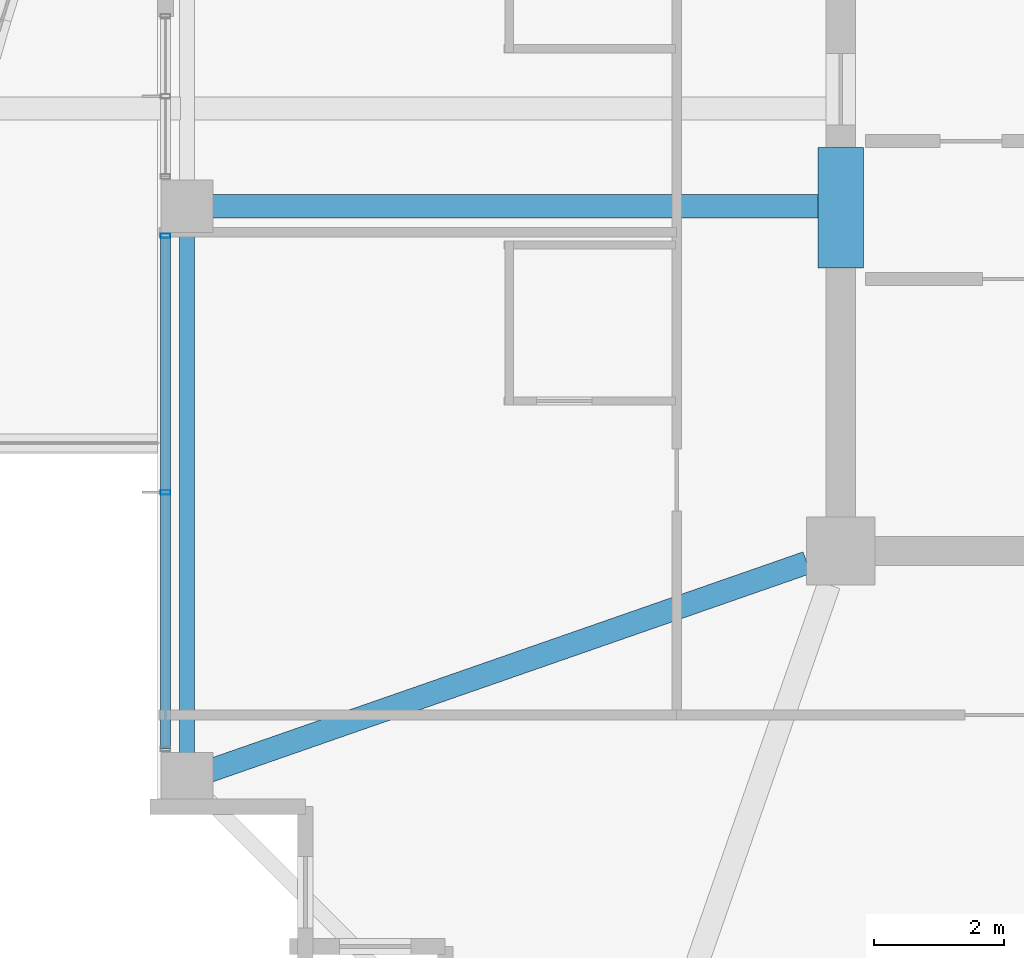
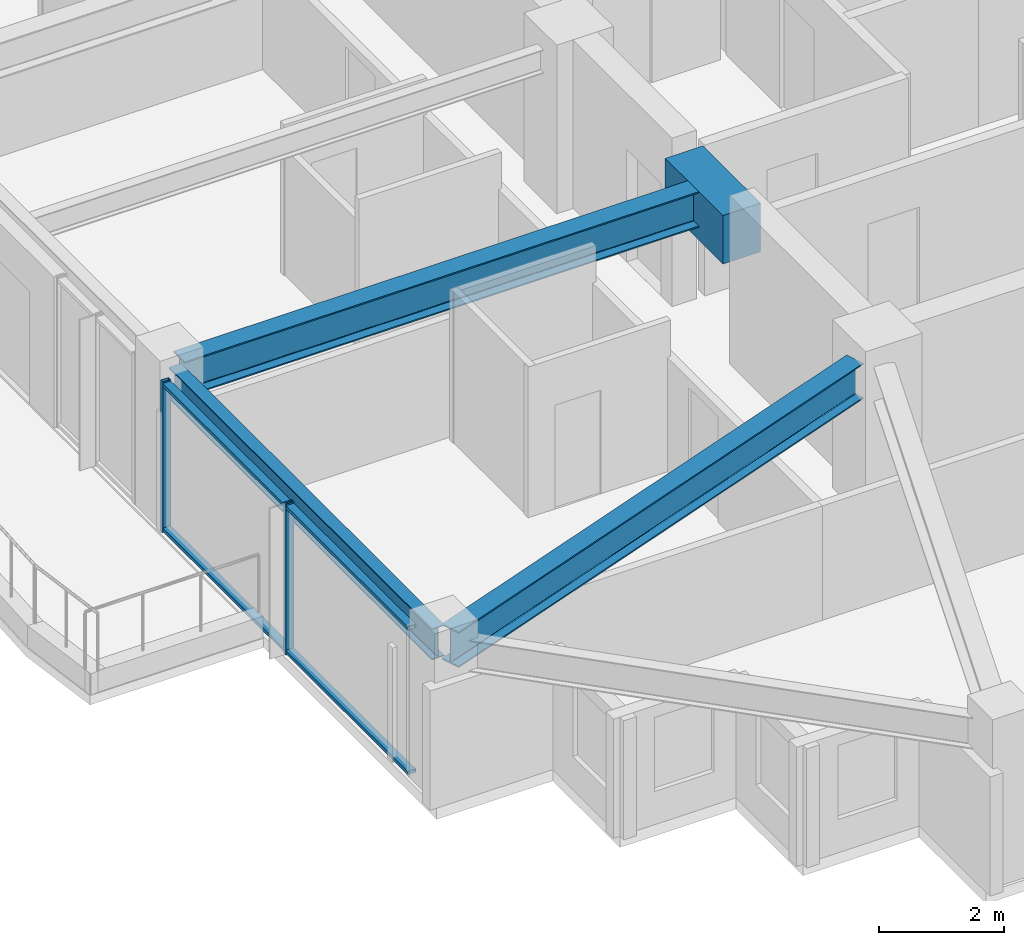
# One storey, part 4 of 34: 4 beams, 4 members, 1 element without a shape of its own.
"""IFC4 building model written with IfcOpenShell, lengths in metres."""

from ifc_helpers import new_model, si_unit, direction, frame, origin, origin_2d, place, context, subcontext, project, spatial, rectangle, hollow_rectangle, i_section, extrude, material, material_profile, profile_set, type_object, element, aggregate, save


model = new_model("IFC4")

# Units and contexts
model_context = context("Model", 3, precision=1e-05, world=origin(), true_north=direction((0.0, 1.0)))
body_context = subcontext(model_context, "Body", "Model", "MODEL_VIEW")
ifc_project = project(units=[si_unit("LENGTHUNIT", "METRE"), si_unit("AREAUNIT", "SQUARE_METRE"), si_unit("VOLUMEUNIT", "CUBIC_METRE"), si_unit("PLANEANGLEUNIT", "RADIAN"), si_unit("MASSUNIT", "GRAM", prefix="KILO")], contexts=[model_context])

# Site, building, storey
site_placement = place(None, origin())
site = spatial("IfcSite", under=ifc_project, at=site_placement, CompositionType="ELEMENT")
building_placement = place(site_placement, origin())
building = spatial("IfcBuilding", under=site, at=building_placement, Name="Kolvaren Belvedere", CompositionType="ELEMENT")
storey_placement = place(building_placement, frame((0.0, 0.0, 229.5)))
storey = spatial("IfcBuildingStorey", under=building, at=storey_placement, Name="L67", CompositionType="ELEMENT", Elevation=229.5)

# Beams
ifc_material_1 = material(Name="Structural steel ASTM A992 Grade 50", Category="steel")
ifc_material_profile_1 = material_profile(ifc_material_1, i_section(OverallWidth=0.35498046875, OverallDepth=0.696044921875, WebThickness=0.015380859375, FlangeThickness=0.02490234375, FilletRadius=0.02197265625, at=origin_2d()), Name="W27X146")
ifc_profile_set_1 = profile_set([ifc_material_profile_1], Name="Structural steel ASTM A992 Grade 50")
beam_type_1 = type_object("IfcBeamType", Name="BM-GIRD-W27X146", PredefinedType="BEAM", material=ifc_profile_set_1)
beam_1_placement = place(storey_placement, frame((-10.125, -4.60009765625, 2.60205078125), z_axis=(-1.0, 0.0, 0.0), x_axis=(0.0, -1.0, 0.0)))
element("IfcBeam", 1, at=beam_1_placement, inside=storey, type_object=beam_type_1, Name="L67 West Radial Girder M", PredefinedType="BEAM", context=body_context, shape_type="SweptSolid", body=[
    extrude(i_section(OverallWidth=0.35498046875, OverallDepth=0.696044921875, WebThickness=0.015380859375, FlangeThickness=0.02490234375, FilletRadius=0.02197265625, at=origin_2d()), origin(), (0.0, 0.0, 1.0), 9.64501953125),
])
beam_2_placement = place(storey_placement, frame((-10.41943359375, -10.080810546875, 2.60205078125), z_axis=(-0.944365399758, -0.328898147971, 0.0), x_axis=(0.328898147971, -0.944365399758, 0.0)))
element("IfcBeam", 2, at=beam_2_placement, inside=storey, type_object=beam_type_1, Name="L67 Corner Core-to-Perimeter Girder CC1-W1", PredefinedType="BEAM", context=body_context, shape_type="SweptSolid", body=[
    extrude(i_section(OverallWidth=0.35498046875, OverallDepth=0.696044921875, WebThickness=0.015380859375, FlangeThickness=0.02490234375, FilletRadius=0.02197265625, at=origin_2d()), origin(), (0.0, 0.0, 1.0), 9.931884765625),
])
ifc_material_2 = material(Name="Concrete C60/75", Category="concrete")
ifc_material_profile_2 = material_profile(ifc_material_2, rectangle(XDim=0.699951171875, YDim=0.949951171875, at=origin_2d()), Name="RC 700X950")
ifc_profile_set_2 = profile_set([ifc_material_profile_2], Name="Concrete C60/75")
beam_type_2 = type_object("IfcBeamType", Name="BM-LINT-950", PredefinedType="LINTEL", material=ifc_profile_set_2)
beam_3_placement = place(storey_placement, frame((-9.89990234375, -5.550048828125, 2.47509765625), z_axis=(0.0, 1.0, 0.0), x_axis=(-1.0, 0.0, 0.0)))
element("IfcBeam", 3, at=beam_3_placement, inside=storey, type_object=beam_type_2, Name="L67 West Core Coupling Lintel", PredefinedType="LINTEL", context=body_context, shape_type="SweptSolid", body=[
    extrude(rectangle(XDim=0.699951171875, YDim=0.949951171875, at=origin_2d()), origin(), (0.0, 0.0, 1.0), 1.85009765625),
])
ifc_material_3 = material(Name="Structural steel ASTM A992 Grade 50", Category="steel")
ifc_material_profile_3 = material_profile(ifc_material_3, i_section(OverallWidth=0.22900390625, OverallDepth=0.612060546875, WebThickness=0.011962890625, FlangeThickness=0.01953125, FilletRadius=0.01806640625, at=origin_2d()), Name="W24X84")
ifc_profile_set_3 = profile_set([ifc_material_profile_3], Name="Structural steel ASTM A992 Grade 50")
beam_type_3 = type_object("IfcBeamType", Name="BM-SPAN-W24X84", PredefinedType="SPANDREL", material=ifc_profile_set_3)
beam_4_placement = place(storey_placement, frame((-19.949951171875, -4.780029296875, 2.64404296875), z_axis=(0.0, -1.0, 0.0), x_axis=(1.0, 0.0, 0.0)))
element("IfcBeam", 4, at=beam_4_placement, inside=storey, type_object=beam_type_3, Name="L67 Perimeter Spandrel W2-W1", PredefinedType="SPANDREL", context=body_context, shape_type="SweptSolid", body=[
    extrude(i_section(OverallWidth=0.22900390625, OverallDepth=0.612060546875, WebThickness=0.011962890625, FlangeThickness=0.01953125, FilletRadius=0.01806640625, at=origin_2d()), origin(), (0.0, 0.0, 1.0), 8.43994140625),
])

# Curtain wall, members
ifc_material_4 = material(Name="Anodised pale-metal aluminium AA 6063-T6", Category="aluminium")
curtain_wall_type = type_object("IfcCurtainWallType", Name="CW-Z5-HIGH", PredefinedType="NOTDEFINED", material=ifc_material_4)
curtain_wall_placement = place(storey_placement, origin())
curtain_wall = element("IfcCurtainWall", 5, at=curtain_wall_placement, inside=storey, type_object=curtain_wall_type, Name="L67 Unitised Curtain Wall FCW-L67-W1-B1", PredefinedType="NOTDEFINED")
ifc_material_5 = material(Name="Anodised pale-metal aluminium AA 6063-T6", Category="aluminium")
ifc_material_profile_4 = material_profile(ifc_material_5, hollow_rectangle(XDim=0.070068359375, YDim=0.14990234375, WallThickness=0.004150390625, at=origin_2d()), Name="ALU-MUL-150X70")
ifc_profile_set_4 = profile_set([ifc_material_profile_4], Name="Anodised pale-metal aluminium AA 6063-T6")
member_type_1 = type_object("IfcMemberType", Name="CW-MUL-150", PredefinedType="MULLION", material=ifc_profile_set_4)
member_1_placement = place(storey_placement, frame((-20.280029296875, -9.0, 0.0), z_axis=(0.0, 0.0, 1.0), x_axis=(0.0, 1.0, 0.0)))
member_1 = element("IfcMember", 6, at=member_1_placement, type_object=member_type_1, Name="FCW-L67-W1-B1 Unitised Mullion 2", PredefinedType="MULLION", context=body_context, shape_type="SweptSolid", body=[
    extrude(hollow_rectangle(XDim=0.070068359375, YDim=0.14990234375, WallThickness=0.004150390625, at=origin_2d()), origin(), (0.0, 0.0, 1.0), 2.949951171875),
])
member_2_placement = place(storey_placement, frame((-20.280029296875, -5.054931640625, 0.0), z_axis=(0.0, 0.0, 1.0), x_axis=(0.0, 1.0, 0.0)))
member_2 = element("IfcMember", 7, at=member_2_placement, type_object=member_type_1, Name="FCW-L67-W1-B1 Unitised Mullion 3", PredefinedType="MULLION", context=body_context, shape_type="SweptSolid", body=[
    extrude(hollow_rectangle(XDim=0.070068359375, YDim=0.14990234375, WallThickness=0.004150390625, at=origin_2d()), origin(), (0.0, 0.0, 1.0), 2.949951171875),
])
ifc_material_6 = material(Name="Anodised pale-metal aluminium AA 6063-T6", Category="aluminium")
ifc_material_profile_5 = material_profile(ifc_material_6, hollow_rectangle(XDim=0.06494140625, YDim=0.14990234375, WallThickness=0.00390625, at=origin_2d()), Name="ALU-TRN-150X65")
ifc_profile_set_5 = profile_set([ifc_material_profile_5], Name="Anodised pale-metal aluminium AA 6063-T6")
member_type_2 = type_object("IfcMemberType", Name="CW-TRN-150", PredefinedType="USERDEFINED", material=ifc_profile_set_5)
member_3_placement = place(storey_placement, frame((-20.280029296875, -12.945068359375, 0.06005859375), z_axis=(0.0, 1.0, 0.0), x_axis=(0.0, 0.0, 1.0)))
member_3 = element("IfcMember", 8, at=member_3_placement, type_object=member_type_2, Name="FCW-L67-W1-B1 Sill Transom", ObjectType="TRANSOM", PredefinedType="USERDEFINED", context=body_context, shape_type="SweptSolid", body=[
    extrude(hollow_rectangle(XDim=0.06494140625, YDim=0.14990234375, WallThickness=0.00390625, at=origin_2d()), origin(), (0.0, 0.0, 1.0), 7.89013671875),
])
member_4_placement = place(storey_placement, frame((-20.280029296875, -12.945068359375, 2.889892578125), z_axis=(0.0, 1.0, 0.0), x_axis=(0.0, 0.0, 1.0)))
member_4 = element("IfcMember", 9, at=member_4_placement, type_object=member_type_2, Name="FCW-L67-W1-B1 Head Transom", ObjectType="TRANSOM", PredefinedType="USERDEFINED", context=body_context, shape_type="SweptSolid", body=[
    extrude(hollow_rectangle(XDim=0.06494140625, YDim=0.14990234375, WallThickness=0.00390625, at=origin_2d()), origin(), (0.0, 0.0, 1.0), 7.89013671875),
])
aggregate(curtain_wall, [member_1, member_2, member_3, member_4])

save(model, "model.ifc")
